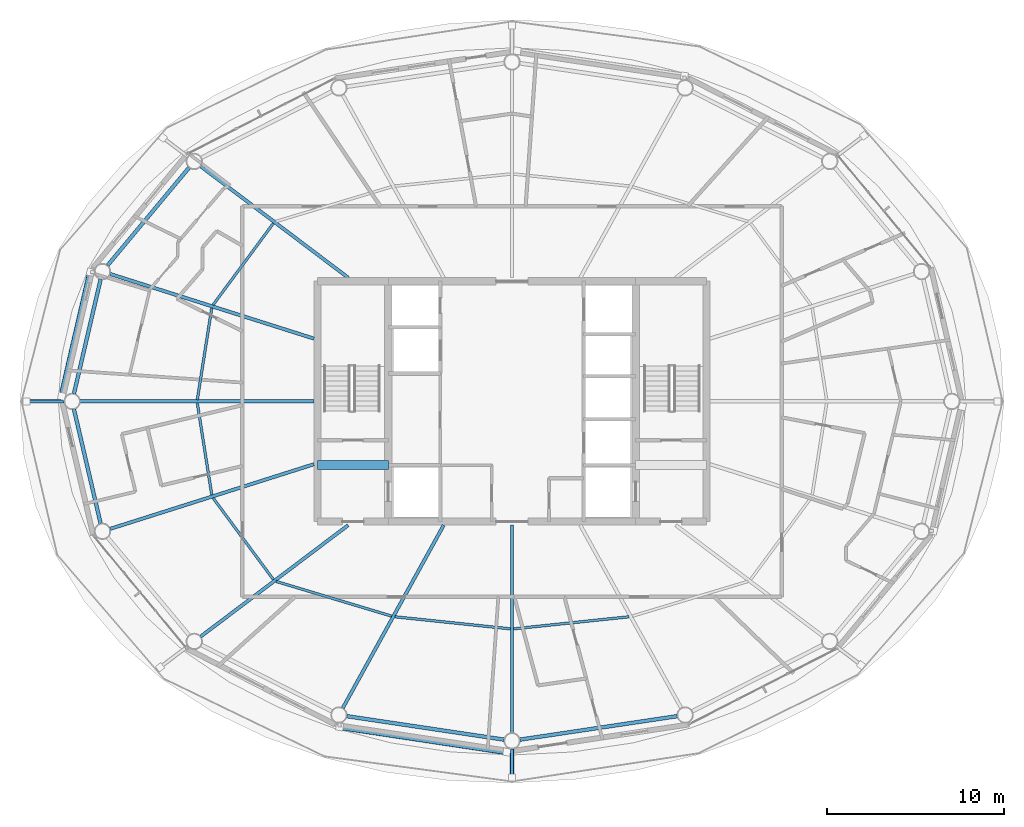
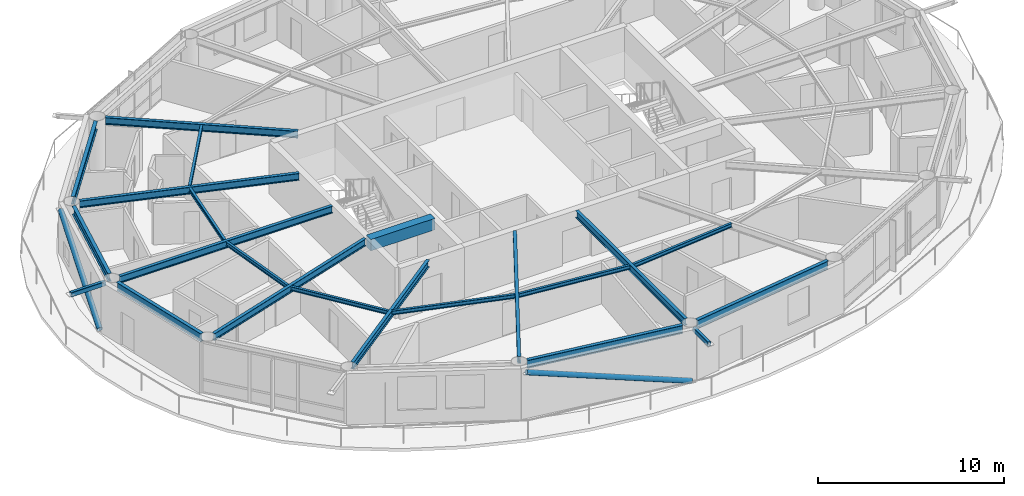
# One storey, part 4 of 22: 20 beams, 4 members.
"""IFC4 building model written with IfcOpenShell, lengths in metres."""

import ifcopenshell
import ifcopenshell.guid

model = None  # the IFC model being written
_history = None  # IfcOwnerHistory: only IFC2X3 demands one
_inside = {}  # id of a spatial element -> (the spatial element, [elements in it])
_under = {}  # id of a project, library or spatial element -> (it, [spatial elements below it])
_declared = {}  # id of a project -> (the project, [libraries it declares])
_typed = {}  # id of a type object -> (the type object, [elements of that type])
_made_of = {}  # id of a material, layer set ... -> (it, [elements and type objects made of it])


def new_model(schema):
    """Start an empty IFC model of exactly this schema.

    Asked for "IFC4X3", IfcOpenShell would pick the latest addendum, in which some entities
    have other attributes; the version numbers below select the first issue.
    IFC2X3 requires an IfcOwnerHistory on every rooted entity: one is made here for all.
    """
    global model, _history
    if schema == "IFC4X3":
        model = ifcopenshell.file(schema_version=(4, 3, 0, 0))
    else:
        model = ifcopenshell.file(schema=schema)
    _inside.clear()
    _under.clear()
    _declared.clear()
    _typed.clear()
    _made_of.clear()
    _history = None
    if model.schema == "IFC2X3":
        org = make("IfcOrganization", Name="unknown")
        user = make(
            "IfcPersonAndOrganization",
            ThePerson=make("IfcPerson", FamilyName="unknown"),
            TheOrganization=org,
        )
        app = make(
            "IfcApplication",
            ApplicationDeveloper=org,
            Version="unknown",
            ApplicationFullName="unknown",
            ApplicationIdentifier="unknown",
        )
        _history = make(
            "IfcOwnerHistory",
            OwningUser=user,
            OwningApplication=app,
            ChangeAction="ADDED",
            CreationDate=0,
        )
    return model


def make(cls, **values):
    """One entity of the class cls with the attributes given. An attribute that is None is left unset."""
    return model.create_entity(
        cls, **{name: value for name, value in values.items() if value is not None}
    )


def rooted(cls, **values):
    """An entity with a GlobalId (a new one), such as an element, a storey or a relation."""
    return make(cls, GlobalId=ifcopenshell.guid.new(), OwnerHistory=_history, **values)


def si_unit(unit_type, name, prefix=None):
    """IfcSIUnit, for example si_unit("LENGTHUNIT", "METRE", prefix="MILLI")."""
    return make("IfcSIUnit", UnitType=unit_type, Prefix=prefix, Name=name)


def assignment(units):
    """IfcUnitAssignment: the units of a project."""
    return None if units is None else make("IfcUnitAssignment", Units=units)


def point(xyz):
    """IfcCartesianPoint."""
    return None if xyz is None else make("IfcCartesianPoint", Coordinates=xyz)


def direction(xyz):
    """IfcDirection."""
    return None if xyz is None else make("IfcDirection", DirectionRatios=xyz)


def frame(location, z_axis=None, x_axis=None):
    """IfcAxis2Placement3D, a coordinate frame: its origin and axes. An axis left out is left unset."""
    return make(
        "IfcAxis2Placement3D",
        Location=point(location),
        Axis=direction(z_axis),
        RefDirection=direction(x_axis),
    )


def frame_2d(location, x_axis=None):
    """IfcAxis2Placement2D, a coordinate frame in the plane: its origin and x axis."""
    return make(
        "IfcAxis2Placement2D", Location=point(location), RefDirection=direction(x_axis)
    )


def origin():
    """The frame at (0, 0, 0) with its axes left unset."""
    return frame((0.0, 0.0, 0.0))


def origin_2d():
    """The frame at (0, 0) in the plane with its x axis left unset."""
    return frame_2d((0.0, 0.0))


def place(relative_to, where):
    """IfcLocalPlacement: puts the frame where relative to a parent placement (None: the world)."""
    return make(
        "IfcLocalPlacement", PlacementRelTo=relative_to, RelativePlacement=where
    )


def context(
    kind, dimensions, precision=None, world=None, true_north=None, identifier=None
):
    """IfcGeometricRepresentationContext, for example the 3D "Model" context."""
    return make(
        "IfcGeometricRepresentationContext",
        ContextIdentifier=identifier,
        ContextType=kind,
        CoordinateSpaceDimension=dimensions,
        Precision=precision,
        WorldCoordinateSystem=world,
        TrueNorth=true_north,
    )


def subcontext(parent, identifier, kind, view, scale=None):
    """IfcGeometricRepresentationSubContext, for example "Body" below "Model"."""
    return make(
        "IfcGeometricRepresentationSubContext",
        ContextIdentifier=identifier,
        ContextType=kind,
        ParentContext=parent,
        TargetScale=scale,
        TargetView=view,
    )


def project(units=None, contexts=None):
    """IfcProject with its units and contexts."""
    return rooted(
        "IfcProject",
        Name="project",
        RepresentationContexts=contexts,
        UnitsInContext=assignment(units),
    )


def spatial(cls, under=None, at=None, **own):
    """A site, building, storey or space (cls), placed at a placement, below another one or the project."""
    s = rooted(cls, ObjectPlacement=at, **own)
    if under is not None:
        _under.setdefault(under.id(), (under, []))[1].append(s)
    return s


def profile(cls, at=None, kind="AREA", **sizes):
    """A parametric profile (cls). Its sizes go by their IFC names, for example OverallWidth=200.0."""
    return make(cls, ProfileType=kind, Position=at, **sizes)


def rectangle(**sizes):
    """IfcRectangleProfileDef."""
    return profile("IfcRectangleProfileDef", **sizes)


def hollow_rectangle(**sizes):
    """IfcRectangleHollowProfileDef."""
    return profile("IfcRectangleHollowProfileDef", **sizes)


def hollow_circle(**sizes):
    """IfcCircleHollowProfileDef."""
    return profile("IfcCircleHollowProfileDef", **sizes)


def i_section(**sizes):
    """IfcIShapeProfileDef."""
    return profile("IfcIShapeProfileDef", **sizes)


def extrude(swept, where, along, depth):
    """IfcExtrudedAreaSolid: the profile swept, set in the frame where, extruded along a direction by depth."""
    return make(
        "IfcExtrudedAreaSolid",
        SweptArea=swept,
        Position=where,
        ExtrudedDirection=direction(along),
        Depth=depth,
    )


def shape(context_of_items, identifier, shape_type, items):
    """IfcShapeRepresentation: the items that make up one representation, for example the "Body"."""
    return make(
        "IfcShapeRepresentation",
        ContextOfItems=context_of_items,
        RepresentationIdentifier=identifier,
        RepresentationType=shape_type,
        Items=items,
    )


def material(Name=None, Category=None):
    """IfcMaterial."""
    return make("IfcMaterial", Name=Name, Category=Category)


def material_profile(
    of_material, cross_section, Name=None, Category=None, Priority=None
):
    """IfcMaterialProfile: a cross section and its material."""
    return make(
        "IfcMaterialProfile",
        Name=Name,
        Material=of_material,
        Profile=cross_section,
        Priority=Priority,
        Category=Category,
    )


def profile_set(profiles, Name=None, composite=None):
    """IfcMaterialProfileSet."""
    return make(
        "IfcMaterialProfileSet",
        Name=Name,
        MaterialProfiles=profiles,
        CompositeProfile=composite,
    )


def made_of(thing, what):
    """Note that an element or type object is made of a material, layer set ...; save() writes the relation."""
    if what is not None:
        _made_of.setdefault(what.id(), (what, []))[1].append(thing)
    return thing


def type_object(cls, material=None, **own):
    """A type object (cls), such as IfcWallType, which elements share."""
    return made_of(rooted(cls, **own), material)


def element(
    cls,
    number,
    at=None,
    inside=None,
    cuts=None,
    type_object=None,
    material=None,
    context=None,
    identifier="Body",
    shape_type=None,
    held_by="IfcProductDefinitionShape",
    body=None,
    shapes=None,
    **own,
):
    """One element of the class cls, such as IfcWall. Its Tag is "e" and its number.

    at: its placement. inside: the storey or other place that contains it. cuts: it is an
    opening in that element (IfcRelVoidsElement). A single representation is given by context,
    identifier, shape_type and body (its items); several are given by shapes. held_by: the class
    of the entity that holds the representations. save() writes the other relations.
    """
    e = rooted(cls, Tag="e%d" % number, ObjectPlacement=at, **own)
    if body is not None:
        shapes = [shape(context, identifier, shape_type, body)]
    if shapes is not None:
        e.Representation = make(held_by, Representations=shapes)
    if inside is not None:
        _inside.setdefault(inside.id(), (inside, []))[1].append(e)
    if cuts is not None:
        rooted(
            "IfcRelVoidsElement", RelatingBuildingElement=cuts, RelatedOpeningElement=e
        )
    if type_object is not None:
        _typed.setdefault(type_object.id(), (type_object, []))[1].append(e)
    return made_of(e, material)


def aggregate(whole, parts):
    """IfcRelAggregates: a whole, such as a stair, and the parts it consists of."""
    return rooted("IfcRelAggregates", RelatingObject=whole, RelatedObjects=parts)


def save(model, path):
    """Write the relations noted so far, then the file.

    IfcRelAggregates (storeys below a building ...), IfcRelContainedInSpatialStructure (elements
    in a storey), IfcRelDefinesByType, IfcRelAssociatesMaterial and IfcRelDeclares: one each for
    every whole, place, type object, material and project.
    """
    for whole, parts in _under.values():
        aggregate(whole, parts)
    for where, things in _inside.values():
        rooted(
            "IfcRelContainedInSpatialStructure",
            RelatedElements=things,
            RelatingStructure=where,
        )
    for kind, things in _typed.values():
        rooted("IfcRelDefinesByType", RelatedObjects=things, RelatingType=kind)
    for what, things in _made_of.values():
        rooted("IfcRelAssociatesMaterial", RelatedObjects=things, RelatingMaterial=what)
    for by, libraries in _declared.values():
        rooted("IfcRelDeclares", RelatingContext=by, RelatedDefinitions=libraries)
    model.write(path)


model = new_model("IFC4")

# Units and contexts
model_context = context("Model", 3, precision=1e-05, world=origin(), true_north=direction((0.0, 1.0)))
body_context = subcontext(model_context, "Body", "Model", "MODEL_VIEW")
ifc_project = project(units=[si_unit("LENGTHUNIT", "METRE"), si_unit("AREAUNIT", "SQUARE_METRE"), si_unit("VOLUMEUNIT", "CUBIC_METRE"), si_unit("PLANEANGLEUNIT", "RADIAN"), si_unit("MASSUNIT", "GRAM", prefix="KILO")], contexts=[model_context])

# Site, building, storey
site_placement = place(None, origin())
site = spatial("IfcSite", under=ifc_project, at=site_placement, CompositionType="ELEMENT")
building_placement = place(site_placement, origin())
building = spatial("IfcBuilding", under=site, at=building_placement, Name="Sarneth Arch Tower", CompositionType="ELEMENT")
storey_placement = place(building_placement, frame((0.0, 0.0, 210.0)))
storey = spatial("IfcBuildingStorey", under=building, at=storey_placement, Name="L53", CompositionType="ELEMENT", Elevation=210.0)

# Beams
ifc_material_1 = material(Name="Steel S355", Category="steel")
ifc_material_profile_1 = material_profile(ifc_material_1, i_section(OverallWidth=0.14794921875, OverallDepth=0.26611328125, WebThickness=0.007568359375, FlangeThickness=0.012939453125, FilletRadius=0.012939453125, at=origin_2d()), Name="W250x44.8")
ifc_profile_set_1 = profile_set([ifc_material_profile_1], Name="Steel S355")
beam_type_1 = type_object("IfcBeamType", Name="BM-JOIST-250", PredefinedType="JOIST", material=ifc_profile_set_1)
beam_1_placement = place(storey_placement, frame((34.5009765625, 52.075439453125, 3.22705078125), z_axis=(-0.594557229879, -0.804053294501, 0.0), x_axis=(0.804053294501, -0.594557229879, 0.0)))
element("IfcBeam", 1, at=beam_1_placement, inside=storey, type_object=beam_type_1, Name="L53 Secondary floor joist 07", PredefinedType="JOIST", context=body_context, shape_type="SweptSolid", body=[
    extrude(i_section(OverallWidth=0.14794921875, OverallDepth=0.26611328125, WebThickness=0.007568359375, FlangeThickness=0.012939453125, FilletRadius=0.012939453125, at=origin_2d()), origin(), (0.0, 0.0, 1.0), 5.74169921875),
])
for number, where, z_axis, x_axis, name in (
    (2, (31.01513671875, 47.286865234375, 3.22705078125), (-0.155421095795, -0.987848309702, 0.0), (0.987848309702, -0.155421095795, 0.0), "L53 Secondary floor joist 08"),
    (3, (30.1982421875, 41.9052734375, 3.22705078125), (0.155421095795, -0.987848309702, 0.0), (0.987848309702, 0.155421095795, 0.0), "L53 Secondary floor joist 09"),
):
    element("IfcBeam", number, at=place(storey_placement, frame(where, z_axis=z_axis, x_axis=x_axis)), inside=storey, type_object=beam_type_1, Name=name, PredefinedType="JOIST", context=body_context, shape_type="SweptSolid", body=[
        extrude(i_section(OverallWidth=0.14794921875, OverallDepth=0.26611328125, WebThickness=0.007568359375, FlangeThickness=0.012939453125, FilletRadius=0.012939453125, at=origin_2d()), origin(), (0.0, 0.0, 1.0), 5.256103515625),
    ])
beam_2_placement = place(storey_placement, frame((31.087158203125, 36.541259765625, 3.22705078125), z_axis=(0.594557229879, -0.804053294501, 0.0), x_axis=(0.804053294501, 0.594557229879, 0.0)))
element("IfcBeam", 4, at=beam_2_placement, inside=storey, type_object=beam_type_1, Name="L53 Secondary floor joist 10", PredefinedType="JOIST", context=body_context, shape_type="SweptSolid", body=[
    extrude(i_section(OverallWidth=0.14794921875, OverallDepth=0.26611328125, WebThickness=0.007568359375, FlangeThickness=0.012939453125, FilletRadius=0.012939453125, at=origin_2d()), origin(), (0.0, 0.0, 1.0), 5.74169921875),
])
beam_3_placement = place(storey_placement, frame((34.64990234375, 31.81982421875, 3.22705078125), z_axis=(0.957725851155, -0.287682453461, 0.0), x_axis=(0.287682453461, 0.957725851155, 0.0)))
element("IfcBeam", 5, at=beam_3_placement, inside=storey, type_object=beam_type_1, Name="L53 Secondary floor joist 11", PredefinedType="JOIST", context=body_context, shape_type="SweptSolid", body=[
    extrude(i_section(OverallWidth=0.14794921875, OverallDepth=0.26611328125, WebThickness=0.007568359375, FlangeThickness=0.012939453125, FilletRadius=0.012939453125, at=origin_2d()), origin(), (0.0, 0.0, 1.0), 6.828125),
])
for number, where, z_axis, x_axis, name in (
    (6, (41.376953125, 29.81787109375, 3.22705078125), (0.994572713015, -0.104043829835, 0.0), (0.104043829835, 0.994572713015, 0.0), "L53 Secondary floor joist 12"),
    (7, (48.095458984375, 29.135009765625, 3.22705078125), (0.994572713015, 0.104043829835, 0.0), (-0.104043829835, 0.994572713015, 0.0), "L53 Secondary floor joist 13"),
):
    element("IfcBeam", number, at=place(storey_placement, frame(where, z_axis=z_axis, x_axis=x_axis)), inside=storey, type_object=beam_type_1, Name=name, PredefinedType="JOIST", context=body_context, shape_type="SweptSolid", body=[
        extrude(i_section(OverallWidth=0.14794921875, OverallDepth=0.26611328125, WebThickness=0.007568359375, FlangeThickness=0.012939453125, FilletRadius=0.012939453125, at=origin_2d()), origin(), (0.0, 0.0, 1.0), 6.563232421875),
    ])
ifc_material_2 = material(Name="Concrete C50/60", Category="concrete")
ifc_material_profile_2 = material_profile(ifc_material_2, rectangle(XDim=0.5, YDim=0.75, at=origin_2d()), Name="RC-500x750")
ifc_profile_set_2 = profile_set([ifc_material_profile_2], Name="Concrete C50/60")
beam_type_2 = type_object("IfcBeamType", Name="BM-LINTEL-RC", PredefinedType="LINTEL", material=ifc_profile_set_2)
beam_4_placement = place(storey_placement, frame((37.0, 38.39990234375, 2.985107421875), z_axis=(1.0, 0.0, 0.0), x_axis=(0.0, 1.0, 0.0)))
element("IfcBeam", 8, at=beam_4_placement, inside=storey, type_object=beam_type_2, Name="L53 Core coupling lintel W", PredefinedType="LINTEL", context=body_context, shape_type="SweptSolid", body=[
    extrude(rectangle(XDim=0.5, YDim=0.75, at=origin_2d()), origin(), (0.0, 0.0, 1.0), 4.0),
])
ifc_material_3 = material(Name="Steel S355", Category="steel")
ifc_material_profile_3 = material_profile(ifc_material_3, i_section(OverallWidth=0.19189453125, OverallDepth=0.462890625, WebThickness=0.010498046875, FlangeThickness=0.017578125, FilletRadius=0.01806640625, at=origin_2d()), Name="W460x89")
ifc_profile_set_3 = profile_set([ifc_material_profile_3], Name="Steel S355")
beam_type_3 = type_object("IfcBeamType", Name="BM-RAD-460B", PredefinedType="BEAM", material=ifc_profile_set_3)
beam_5_placement = place(storey_placement, frame((38.73193359375, 49.0, 3.12841796875), z_axis=(-0.79797356997, 0.602692443647, 0.0), x_axis=(-0.602692443647, -0.79797356997, 0.0)))
element("IfcBeam", 9, at=beam_5_placement, inside=storey, type_object=beam_type_3, Name="L53 Radial floor girder 07", PredefinedType="BEAM", context=body_context, shape_type="SweptSolid", body=[
    extrude(i_section(OverallWidth=0.19189453125, OverallDepth=0.462890625, WebThickness=0.010498046875, FlangeThickness=0.017578125, FilletRadius=0.01806640625, at=origin_2d()), origin(), (0.0, 0.0, 1.0), 10.461669921875),
])
beam_6_placement = place(storey_placement, frame((36.800048828125, 45.5517578125, 3.12841796875), z_axis=(-0.953215615433, 0.302291234563, 0.0), x_axis=(-0.302291234563, -0.953215615433, 0.0)))
element("IfcBeam", 10, at=beam_6_placement, inside=storey, type_object=beam_type_3, Name="L53 Radial floor girder 08", PredefinedType="BEAM", context=body_context, shape_type="SweptSolid", body=[
    extrude(i_section(OverallWidth=0.19189453125, OverallDepth=0.462890625, WebThickness=0.010498046875, FlangeThickness=0.017578125, FilletRadius=0.01806640625, at=origin_2d()), origin(), (0.0, 0.0, 1.0), 12.1064453125),
])
beam_7_placement = place(storey_placement, frame((36.800048828125, 42.0, 3.12841796875), z_axis=(-1.0, 0.0, 0.0), x_axis=(0.0, -1.0, 0.0)))
element("IfcBeam", 11, at=beam_7_placement, inside=storey, type_object=beam_type_3, Name="L53 Radial floor girder 09", PredefinedType="BEAM", context=body_context, shape_type="SweptSolid", body=[
    extrude(i_section(OverallWidth=0.19189453125, OverallDepth=0.462890625, WebThickness=0.010498046875, FlangeThickness=0.017578125, FilletRadius=0.01806640625, at=origin_2d()), origin(), (0.0, 0.0, 1.0), 13.233154296875),
])
beam_8_placement = place(storey_placement, frame((36.800048828125, 38.4482421875, 3.12841796875), z_axis=(-0.953215615433, -0.302291234563, 0.0), x_axis=(0.302291234563, -0.953215615433, 0.0)))
element("IfcBeam", 12, at=beam_8_placement, inside=storey, type_object=beam_type_3, Name="L53 Radial floor girder 10", PredefinedType="BEAM", context=body_context, shape_type="SweptSolid", body=[
    extrude(i_section(OverallWidth=0.19189453125, OverallDepth=0.462890625, WebThickness=0.010498046875, FlangeThickness=0.017578125, FilletRadius=0.01806640625, at=origin_2d()), origin(), (0.0, 0.0, 1.0), 12.1064453125),
])
beam_9_placement = place(storey_placement, frame((38.73193359375, 35.0, 3.12841796875), z_axis=(-0.79797356997, -0.602692443647, 0.0), x_axis=(0.602692443647, -0.79797356997, 0.0)))
element("IfcBeam", 13, at=beam_9_placement, inside=storey, type_object=beam_type_3, Name="L53 Radial floor girder 11", PredefinedType="BEAM", context=body_context, shape_type="SweptSolid", body=[
    extrude(i_section(OverallWidth=0.19189453125, OverallDepth=0.462890625, WebThickness=0.010498046875, FlangeThickness=0.017578125, FilletRadius=0.01806640625, at=origin_2d()), origin(), (0.0, 0.0, 1.0), 10.461669921875),
])
beam_10_placement = place(storey_placement, frame((44.13623046875, 35.0, 3.12841796875), z_axis=(-0.483218265038, -0.875499919094, 0.0), x_axis=(0.875499919094, -0.483218265038, 0.0)))
element("IfcBeam", 14, at=beam_10_placement, inside=storey, type_object=beam_type_3, Name="L53 Radial floor girder 12", PredefinedType="BEAM", context=body_context, shape_type="SweptSolid", body=[
    extrude(i_section(OverallWidth=0.19189453125, OverallDepth=0.462890625, WebThickness=0.010498046875, FlangeThickness=0.017578125, FilletRadius=0.01806640625, at=origin_2d()), origin(), (0.0, 0.0, 1.0), 11.8154296875),
])
beam_11_placement = place(storey_placement, frame((48.0, 35.0, 3.12841796875), z_axis=(0.0, -1.0, 0.0), x_axis=(1.0, 0.0, 0.0)))
element("IfcBeam", 15, at=beam_11_placement, inside=storey, type_object=beam_type_3, Name="L53 Radial floor girder 13", PredefinedType="BEAM", context=body_context, shape_type="SweptSolid", body=[
    extrude(i_section(OverallWidth=0.19189453125, OverallDepth=0.462890625, WebThickness=0.010498046875, FlangeThickness=0.017578125, FilletRadius=0.01806640625, at=origin_2d()), origin(), (0.0, 0.0, 1.0), 11.75),
])
ifc_material_4 = material(Name="Steel S355", Category="steel")
ifc_material_profile_4 = material_profile(ifc_material_4, i_section(OverallWidth=0.2109375, OverallDepth=0.5390625, WebThickness=0.01171875, FlangeThickness=0.018798828125, FilletRadius=0.01806640625, at=origin_2d()), Name="W530x109")
ifc_profile_set_4 = profile_set([ifc_material_profile_4], Name="Steel S355")
beam_type_4 = type_object("IfcBeamType", Name="BM-RAD-530B", PredefinedType="BEAM", material=ifc_profile_set_4)
beam_12_placement = place(storey_placement, frame((29.736572265625, 55.230712890625, 3.090576171875), z_axis=(-0.640390876881, -0.768049168222, 0.0), x_axis=(0.768049168222, -0.640390876881, 0.0)))
element("IfcBeam", 16, at=beam_12_placement, inside=storey, type_object=beam_type_4, Name="L53 Perimeter spandrel beam 07", PredefinedType="BEAM", context=body_context, shape_type="SweptSolid", body=[
    extrude(i_section(OverallWidth=0.2109375, OverallDepth=0.5390625, WebThickness=0.01171875, FlangeThickness=0.018798828125, FilletRadius=0.01806640625, at=origin_2d()), origin(), (0.0, 0.0, 1.0), 7.2099609375),
])
for number, where, z_axis, x_axis, name in (
    (17, (24.72900390625, 48.9091796875, 3.090576171875), (-0.227247037844, -0.973837144389, 0.0), (0.973837144389, -0.227247037844, 0.0), "L53 Perimeter spandrel beam 08"),
    (18, (23.218994140625, 41.561767578125, 3.090576171875), (0.227247037844, -0.973837144389, 0.0), (0.973837144389, 0.227247037844, 0.0), "L53 Perimeter spandrel beam 09"),
):
    element("IfcBeam", number, at=place(storey_placement, frame(where, z_axis=z_axis, x_axis=x_axis)), inside=storey, type_object=beam_type_4, Name=name, PredefinedType="BEAM", context=body_context, shape_type="SweptSolid", body=[
        extrude(i_section(OverallWidth=0.2109375, OverallDepth=0.5390625, WebThickness=0.01171875, FlangeThickness=0.018798828125, FilletRadius=0.01806640625, at=origin_2d()), origin(), (0.0, 0.0, 1.0), 6.644775390625),
    ])
for number, where, z_axis, x_axis, name in (
    (19, (38.654296875, 24.195068359375, 3.090576171875), (0.989041765772, -0.147635990052, 0.0), (0.147635990052, 0.989041765772, 0.0), "L53 Perimeter spandrel beam 12"),
    (20, (48.445068359375, 22.866455078125, 3.090576171875), (0.989041765772, 0.147635990052, 0.0), (-0.147635990052, 0.989041765772, 0.0), "L53 Perimeter spandrel beam 13"),
):
    element("IfcBeam", number, at=place(storey_placement, frame(where, z_axis=z_axis, x_axis=x_axis)), inside=storey, type_object=beam_type_4, Name=name, PredefinedType="BEAM", context=body_context, shape_type="SweptSolid", body=[
        extrude(i_section(OverallWidth=0.2109375, OverallDepth=0.5390625, WebThickness=0.01171875, FlangeThickness=0.018798828125, FilletRadius=0.01806640625, at=origin_2d()), origin(), (0.0, 0.0, 1.0), 8.999267578125),
    ])

# Members
ifc_material_5 = material(Name="Steel S355", Category="steel")
ifc_material_profile_5 = material_profile(ifc_material_5, hollow_rectangle(XDim=0.199951171875, YDim=0.300048828125, WallThickness=0.012451171875, InnerFilletRadius=0.018798828125, OuterFilletRadius=0.03125, at=origin_2d()), Name="RHS300x200x12.5")
ifc_profile_set_5 = profile_set([ifc_material_profile_5], Name="Steel S355")
member_type_1 = type_object("IfcMemberType", Name="MEM-CANT-STRUT", PredefinedType="STRUT", material=ifc_profile_set_5)
member_1_placement = place(storey_placement, frame((22.666748046875, 42.0, 3.199951171875), z_axis=(-1.0, 0.0, 0.0), x_axis=(0.0, -1.0, 0.0)))
element("IfcMember", 21, at=member_1_placement, inside=storey, type_object=member_type_1, Name="L53 Balcony cantilever bracket 09", PredefinedType="STRUT", context=body_context, shape_type="SweptSolid", body=[
    extrude(hollow_rectangle(XDim=0.199951171875, YDim=0.300048828125, WallThickness=0.012451171875, InnerFilletRadius=0.018798828125, OuterFilletRadius=0.03125, at=origin_2d()), origin(), (0.0, 0.0, 1.0), 2.1298828125),
])
member_2_placement = place(storey_placement, frame((48.0, 22.35009765625, 3.199951171875), z_axis=(0.0, -1.0, 0.0), x_axis=(1.0, 0.0, 0.0)))
element("IfcMember", 22, at=member_2_placement, inside=storey, type_object=member_type_1, Name="L53 Balcony cantilever bracket 13", PredefinedType="STRUT", context=body_context, shape_type="SweptSolid", body=[
    extrude(hollow_rectangle(XDim=0.199951171875, YDim=0.300048828125, WallThickness=0.012451171875, InnerFilletRadius=0.018798828125, OuterFilletRadius=0.03125, at=origin_2d()), origin(), (0.0, 0.0, 1.0), 1.6201171875),
])
ifc_material_6 = material(Name="Steel S355", Category="steel")
ifc_material_profile_6 = material_profile(ifc_material_6, hollow_circle(Radius=0.162109375, WallThickness=0.012451171875, at=origin_2d()), Name="CHS324x12.5")
ifc_profile_set_6 = profile_set([ifc_material_profile_6], Name="Steel S355")
member_type_2 = type_object("IfcMemberType", Name="MEM-DIAG-BR3", PredefinedType="BRACE", material=ifc_profile_set_6)
member_3_placement = place(storey_placement, frame((22.5234375, 42.292236328125, 0.02001953125), z_axis=(0.207917989892, 0.898749333617, 0.386030756289), x_axis=(-0.974268900284, 0.225388797281, 0.0)))
element("IfcMember", 23, at=member_3_placement, inside=storey, type_object=member_type_2, Name="L53 Perimeter frame diagonal 08", PredefinedType="BRACE", context=body_context, shape_type="SweptSolid", body=[
    extrude(hollow_circle(Radius=0.162109375, WallThickness=0.012451171875, at=origin_2d()), origin(), (0.0, 0.0, 1.0), 7.814453125),
])
member_4_placement = place(storey_placement, frame((47.703369140625, 22.16455078125, 0.02001953125), z_axis=(-0.943056107878, 0.142001297879, 0.300800280576), x_axis=(-0.148897148305, -0.988852688335, 0.0)))
element("IfcMember", 24, at=member_4_placement, inside=storey, type_object=member_type_2, Name="L53 Perimeter frame diagonal 12", PredefinedType="BRACE", context=body_context, shape_type="SweptSolid", body=[
    extrude(hollow_circle(Radius=0.162109375, WallThickness=0.012451171875, at=origin_2d()), origin(), (0.0, 0.0, 1.0), 10.028564453125),
])

save(model, "model.ifc")
